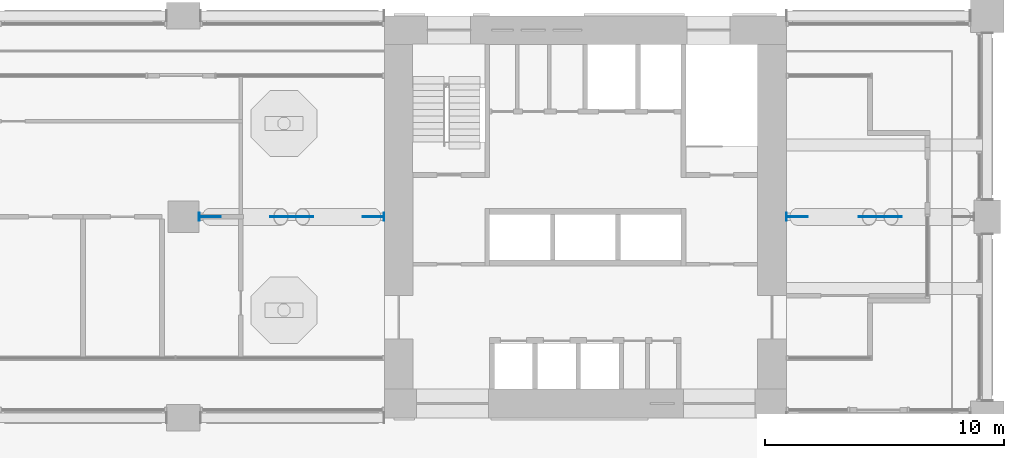
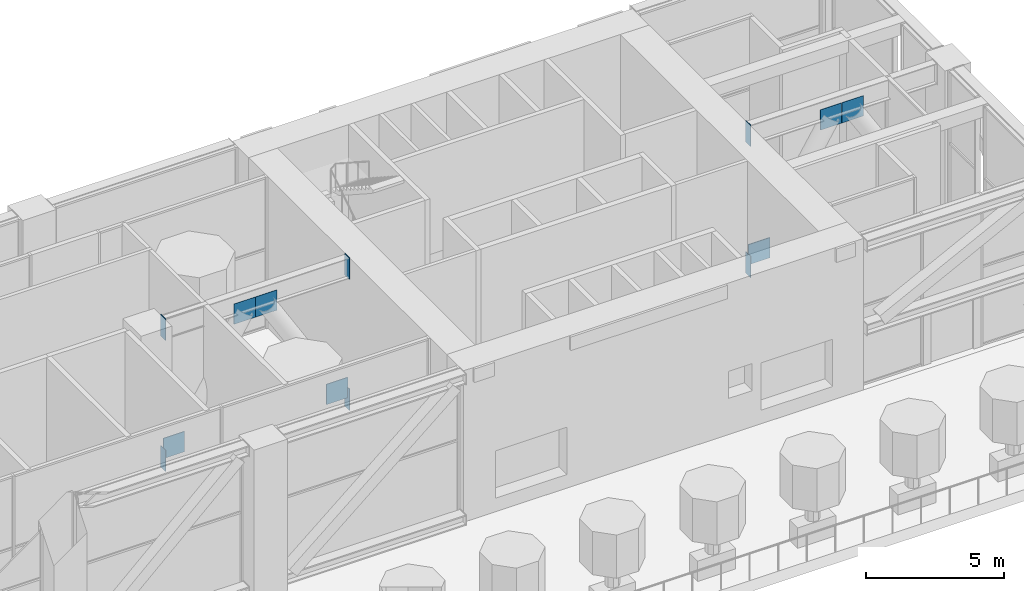
# One storey, part 16 of 28: 13 discrete accessories.
"""IFC4 building model written with IfcOpenShell, lengths in metres."""

from ifc_helpers import new_model, si_unit, direction, frame, origin, origin_2d, place, context, subcontext, project, spatial, rectangle, extrude, element, save


model = new_model("IFC4")

# Units and contexts
model_context = context("Model", 3, precision=1e-05, world=origin(), true_north=direction((0.0, 1.0)))
body_context = subcontext(model_context, "Body", "Model", "MODEL_VIEW")
ifc_project = project(units=[si_unit("LENGTHUNIT", "METRE"), si_unit("AREAUNIT", "SQUARE_METRE"), si_unit("VOLUMEUNIT", "CUBIC_METRE"), si_unit("PLANEANGLEUNIT", "RADIAN"), si_unit("MASSUNIT", "GRAM", prefix="KILO")], contexts=[model_context])

# Site, building, storey
site_placement = place(None, origin())
site = spatial("IfcSite", under=ifc_project, at=site_placement, CompositionType="ELEMENT")
building_placement = place(site_placement, origin())
building = spatial("IfcBuilding", under=site, at=building_placement, Name="Vermilion Gate Residences", CompositionType="ELEMENT")
storey_placement = place(building_placement, frame((0.0, 0.0, 74.199951171875)))
storey = spatial("IfcBuildingStorey", under=building, at=storey_placement, Name="L18", CompositionType="ELEMENT", Elevation=74.199951171875)

# Discrete accessories
for number, where, z_axis, x_axis, name in (
    (1, (41.987548828125, 16.800048828125, -0.02490234375), (0.0, 0.0, 1.0), (1.0, 0.0, 0.0), "End plate O18OUT1B 1"),
    (2, (34.262451171875, 16.800048828125, -0.02490234375), (0.0, 0.0, 1.0), (1.0, 0.0, 0.0), "End plate O18OUT1B 2"),
    (3, (41.987548828125, 16.800048828125, 5.794921875), (0.0, 0.0, 1.0), (1.0, 0.0, 0.0), "End plate O18OUT1T 1"),
    (4, (34.262451171875, 16.800048828125, 5.794921875), (0.0, 0.0, 1.0), (1.0, 0.0, 0.0), "End plate O18OUT1T 2"),
):
    element("IfcDiscreteAccessory", number, at=place(storey_placement, frame(where, z_axis=z_axis, x_axis=x_axis)), inside=storey, Name=name, ObjectType="END PLATE", PredefinedType="USERDEFINED", context=body_context, shape_type="SweptSolid", body=[
        extrude(rectangle(XDim=0.02490234375, YDim=0.35009765625, at=origin_2d()), origin(), (0.0, 0.0, 1.0), 0.949951171875),
    ])
for number, where, z_axis, x_axis, name in (
    (5, (41.54736328125, 16.800048828125, 0.4501953125), (0.0, 0.0, 1.0), (1.0, 0.0, 0.0), "Gusset plate O18OUT1D1 1"),
    (6, (38.57763671875, 16.800048828125, 5.3701171875), (0.0, 0.0, 1.0), (1.0, 0.0, 0.0), "Gusset plate O18OUT1D1 2"),
    (7, (37.67236328125, 16.800048828125, 5.3701171875), (0.0, 0.0, 1.0), (1.0, 0.0, 0.0), "Gusset plate O18OUT1D2 1"),
    (8, (34.70263671875, 16.800048828125, 0.4501953125), (0.0, 0.0, 1.0), (1.0, 0.0, 0.0), "Gusset plate O18OUT1D2 2"),
):
    element("IfcDiscreteAccessory", number, at=place(storey_placement, frame(where, z_axis=z_axis, x_axis=x_axis)), inside=storey, Name=name, ObjectType="GUSSET PLATE", PredefinedType="USERDEFINED", context=body_context, shape_type="SweptSolid", body=[
        extrude(rectangle(XDim=0.89990234375, YDim=0.030029296875, at=origin_2d()), origin(), (0.0, 0.0, 1.0), 0.89990234375),
    ])
for number, where, z_axis, x_axis, name in (
    (9, (58.8125, 16.800048828125, -0.02490234375), (0.0, 0.0, 1.0), (1.0, 0.0, 0.0), "End plate O18OUT2B 1"),
    (10, (58.8125, 16.800048828125, 5.794921875), (0.0, 0.0, 1.0), (1.0, 0.0, 0.0), "End plate O18OUT2T 1"),
):
    element("IfcDiscreteAccessory", number, at=place(storey_placement, frame(where, z_axis=z_axis, x_axis=x_axis)), inside=storey, Name=name, ObjectType="END PLATE", PredefinedType="USERDEFINED", context=body_context, shape_type="SweptSolid", body=[
        extrude(rectangle(XDim=0.02490234375, YDim=0.35009765625, at=origin_2d()), origin(), (0.0, 0.0, 1.0), 0.949951171875),
    ])
for number, where, z_axis, x_axis, name in (
    (11, (59.2548828125, 16.800048828125, 0.4501953125), (0.0, 0.0, 1.0), (1.0, 0.0, 0.0), "Gusset plate O18OUT2D1 1"),
    (12, (62.27001953125, 16.800048828125, 5.3701171875), (0.0, 0.0, 1.0), (1.0, 0.0, 0.0), "Gusset plate O18OUT2D1 2"),
    (13, (63.179931640625, 16.800048828125, 5.3701171875), (0.0, 0.0, 1.0), (1.0, 0.0, 0.0), "Gusset plate O18OUT2D2 1"),
):
    element("IfcDiscreteAccessory", number, at=place(storey_placement, frame(where, z_axis=z_axis, x_axis=x_axis)), inside=storey, Name=name, ObjectType="GUSSET PLATE", PredefinedType="USERDEFINED", context=body_context, shape_type="SweptSolid", body=[
        extrude(rectangle(XDim=0.89990234375, YDim=0.030029296875, at=origin_2d()), origin(), (0.0, 0.0, 1.0), 0.89990234375),
    ])

save(model, "model.ifc")
